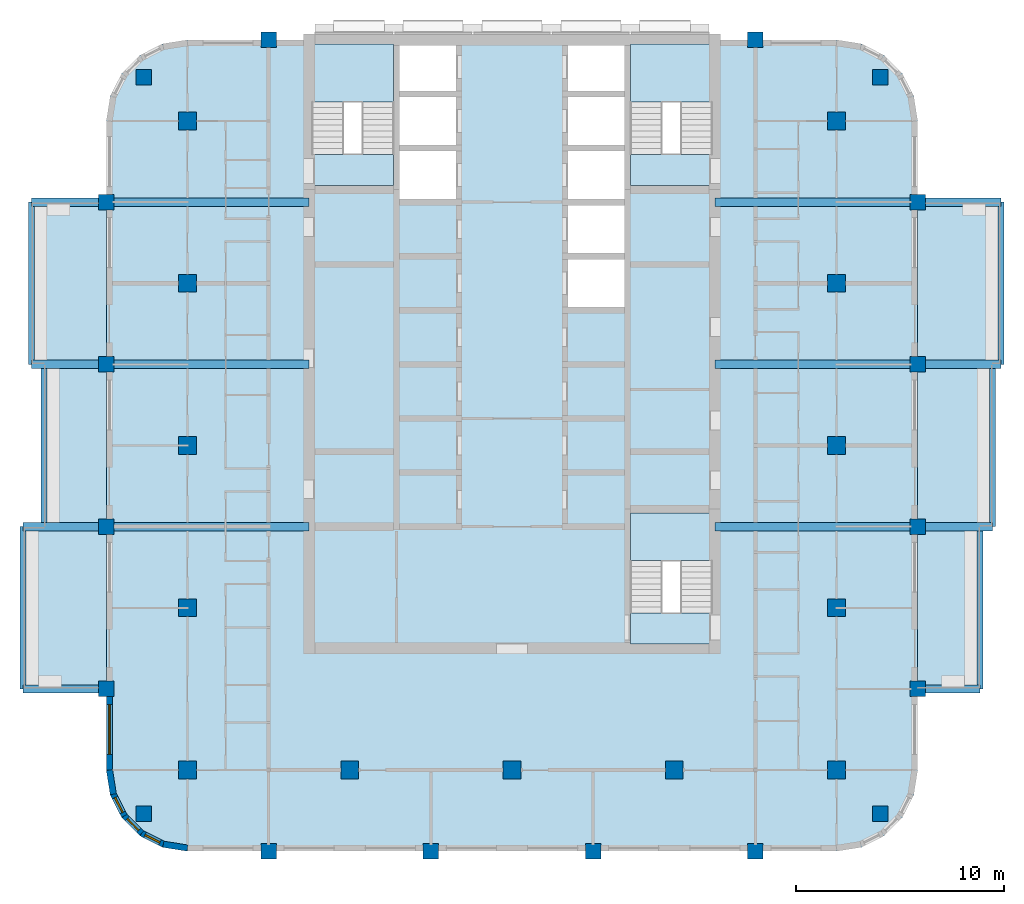
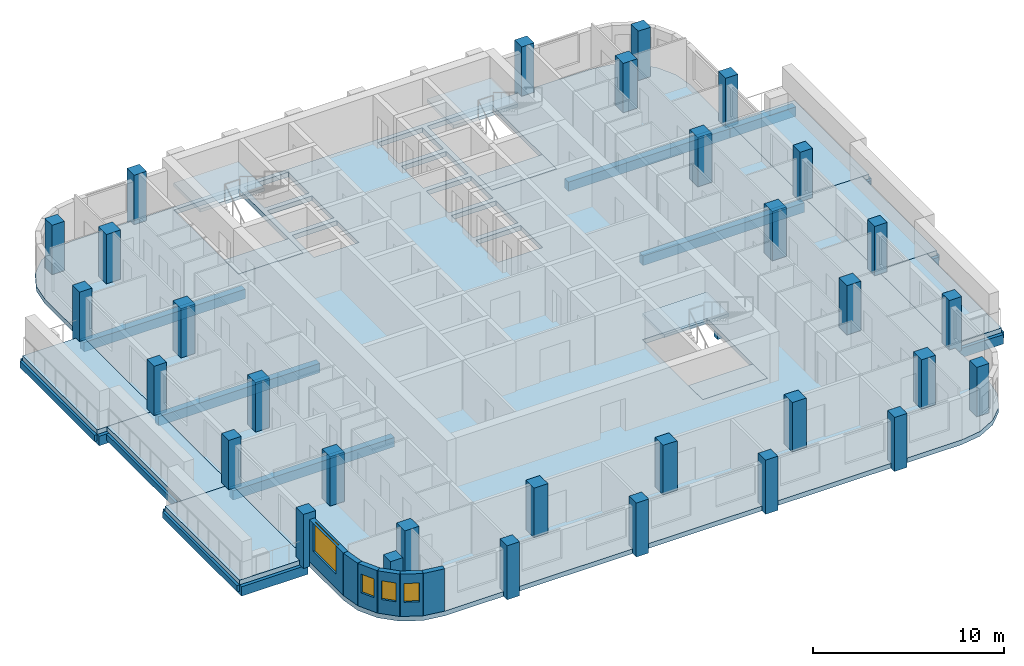
# One storey, part 1 of 13: 31 columns, 20 beams, 13 slabs, 6 walls, 4 windows, 4 openings, 3 elements without a shape of their own.
"""IFC4 building model written with IfcOpenShell, lengths in metres."""

import ifcopenshell
import ifcopenshell.guid

model = None  # the IFC model being written
_history = None  # IfcOwnerHistory: only IFC2X3 demands one
_inside = {}  # id of a spatial element -> (the spatial element, [elements in it])
_under = {}  # id of a project, library or spatial element -> (it, [spatial elements below it])
_declared = {}  # id of a project -> (the project, [libraries it declares])
_typed = {}  # id of a type object -> (the type object, [elements of that type])
_made_of = {}  # id of a material, layer set ... -> (it, [elements and type objects made of it])


def new_model(schema):
    """Start an empty IFC model of exactly this schema.

    Asked for "IFC4X3", IfcOpenShell would pick the latest addendum, in which some entities
    have other attributes; the version numbers below select the first issue.
    IFC2X3 requires an IfcOwnerHistory on every rooted entity: one is made here for all.
    """
    global model, _history
    if schema == "IFC4X3":
        model = ifcopenshell.file(schema_version=(4, 3, 0, 0))
    else:
        model = ifcopenshell.file(schema=schema)
    _inside.clear()
    _under.clear()
    _declared.clear()
    _typed.clear()
    _made_of.clear()
    _history = None
    if model.schema == "IFC2X3":
        org = make("IfcOrganization", Name="unknown")
        user = make(
            "IfcPersonAndOrganization",
            ThePerson=make("IfcPerson", FamilyName="unknown"),
            TheOrganization=org,
        )
        app = make(
            "IfcApplication",
            ApplicationDeveloper=org,
            Version="unknown",
            ApplicationFullName="unknown",
            ApplicationIdentifier="unknown",
        )
        _history = make(
            "IfcOwnerHistory",
            OwningUser=user,
            OwningApplication=app,
            ChangeAction="ADDED",
            CreationDate=0,
        )
    return model


def make(cls, **values):
    """One entity of the class cls with the attributes given. An attribute that is None is left unset."""
    return model.create_entity(
        cls, **{name: value for name, value in values.items() if value is not None}
    )


def rooted(cls, **values):
    """An entity with a GlobalId (a new one), such as an element, a storey or a relation."""
    return make(cls, GlobalId=ifcopenshell.guid.new(), OwnerHistory=_history, **values)


def si_unit(unit_type, name, prefix=None):
    """IfcSIUnit, for example si_unit("LENGTHUNIT", "METRE", prefix="MILLI")."""
    return make("IfcSIUnit", UnitType=unit_type, Prefix=prefix, Name=name)


def assignment(units):
    """IfcUnitAssignment: the units of a project."""
    return None if units is None else make("IfcUnitAssignment", Units=units)


def point(xyz):
    """IfcCartesianPoint."""
    return None if xyz is None else make("IfcCartesianPoint", Coordinates=xyz)


def direction(xyz):
    """IfcDirection."""
    return None if xyz is None else make("IfcDirection", DirectionRatios=xyz)


def frame(location, z_axis=None, x_axis=None):
    """IfcAxis2Placement3D, a coordinate frame: its origin and axes. An axis left out is left unset."""
    return make(
        "IfcAxis2Placement3D",
        Location=point(location),
        Axis=direction(z_axis),
        RefDirection=direction(x_axis),
    )


def frame_2d(location, x_axis=None):
    """IfcAxis2Placement2D, a coordinate frame in the plane: its origin and x axis."""
    return make(
        "IfcAxis2Placement2D", Location=point(location), RefDirection=direction(x_axis)
    )


def origin():
    """The frame at (0, 0, 0) with its axes left unset."""
    return frame((0.0, 0.0, 0.0))


def origin_2d():
    """The frame at (0, 0) in the plane with its x axis left unset."""
    return frame_2d((0.0, 0.0))


def place(relative_to, where):
    """IfcLocalPlacement: puts the frame where relative to a parent placement (None: the world)."""
    return make(
        "IfcLocalPlacement", PlacementRelTo=relative_to, RelativePlacement=where
    )


def context(
    kind, dimensions, precision=None, world=None, true_north=None, identifier=None
):
    """IfcGeometricRepresentationContext, for example the 3D "Model" context."""
    return make(
        "IfcGeometricRepresentationContext",
        ContextIdentifier=identifier,
        ContextType=kind,
        CoordinateSpaceDimension=dimensions,
        Precision=precision,
        WorldCoordinateSystem=world,
        TrueNorth=true_north,
    )


def subcontext(parent, identifier, kind, view, scale=None):
    """IfcGeometricRepresentationSubContext, for example "Body" below "Model"."""
    return make(
        "IfcGeometricRepresentationSubContext",
        ContextIdentifier=identifier,
        ContextType=kind,
        ParentContext=parent,
        TargetScale=scale,
        TargetView=view,
    )


def project(units=None, contexts=None):
    """IfcProject with its units and contexts."""
    return rooted(
        "IfcProject",
        Name="project",
        RepresentationContexts=contexts,
        UnitsInContext=assignment(units),
    )


def spatial(cls, under=None, at=None, **own):
    """A site, building, storey or space (cls), placed at a placement, below another one or the project."""
    s = rooted(cls, ObjectPlacement=at, **own)
    if under is not None:
        _under.setdefault(under.id(), (under, []))[1].append(s)
    return s


def polyline(points):
    """IfcPolyline through the points."""
    return make("IfcPolyline", Points=[point(p) for p in points])


def profile(cls, at=None, kind="AREA", **sizes):
    """A parametric profile (cls). Its sizes go by their IFC names, for example OverallWidth=200.0."""
    return make(cls, ProfileType=kind, Position=at, **sizes)


def rectangle(**sizes):
    """IfcRectangleProfileDef."""
    return profile("IfcRectangleProfileDef", **sizes)


def outline(outer, holes=None, kind="AREA"):
    """IfcArbitraryClosedProfileDef: a profile drawn as a closed curve; with holes, ...WithVoids."""
    if holes is None:
        return make("IfcArbitraryClosedProfileDef", ProfileType=kind, OuterCurve=outer)
    return make(
        "IfcArbitraryProfileDefWithVoids",
        ProfileType=kind,
        OuterCurve=outer,
        InnerCurves=holes,
    )


def extrude(swept, where, along, depth):
    """IfcExtrudedAreaSolid: the profile swept, set in the frame where, extruded along a direction by depth."""
    return make(
        "IfcExtrudedAreaSolid",
        SweptArea=swept,
        Position=where,
        ExtrudedDirection=direction(along),
        Depth=depth,
    )


def shape(context_of_items, identifier, shape_type, items):
    """IfcShapeRepresentation: the items that make up one representation, for example the "Body"."""
    return make(
        "IfcShapeRepresentation",
        ContextOfItems=context_of_items,
        RepresentationIdentifier=identifier,
        RepresentationType=shape_type,
        Items=items,
    )


def material(Name=None, Category=None):
    """IfcMaterial."""
    return make("IfcMaterial", Name=Name, Category=Category)


def layer(
    of_material, thickness, ventilated=None, Name=None, Category=None, Priority=None
):
    """IfcMaterialLayer: one layer of a wall or slab, of a material (None: an air gap)."""
    return make(
        "IfcMaterialLayer",
        Material=of_material,
        LayerThickness=thickness,
        IsVentilated=ventilated,
        Name=Name,
        Category=Category,
        Priority=Priority,
    )


def layer_set(layers, Name=None):
    """IfcMaterialLayerSet."""
    return make("IfcMaterialLayerSet", MaterialLayers=layers, LayerSetName=Name)


def material_profile(
    of_material, cross_section, Name=None, Category=None, Priority=None
):
    """IfcMaterialProfile: a cross section and its material."""
    return make(
        "IfcMaterialProfile",
        Name=Name,
        Material=of_material,
        Profile=cross_section,
        Priority=Priority,
        Category=Category,
    )


def profile_set(profiles, Name=None, composite=None):
    """IfcMaterialProfileSet."""
    return make(
        "IfcMaterialProfileSet",
        Name=Name,
        MaterialProfiles=profiles,
        CompositeProfile=composite,
    )


def made_of(thing, what):
    """Note that an element or type object is made of a material, layer set ...; save() writes the relation."""
    if what is not None:
        _made_of.setdefault(what.id(), (what, []))[1].append(thing)
    return thing


def type_object(cls, material=None, **own):
    """A type object (cls), such as IfcWallType, which elements share."""
    return made_of(rooted(cls, **own), material)


def element(
    cls,
    number,
    at=None,
    inside=None,
    cuts=None,
    type_object=None,
    material=None,
    context=None,
    identifier="Body",
    shape_type=None,
    held_by="IfcProductDefinitionShape",
    body=None,
    shapes=None,
    **own,
):
    """One element of the class cls, such as IfcWall. Its Tag is "e" and its number.

    at: its placement. inside: the storey or other place that contains it. cuts: it is an
    opening in that element (IfcRelVoidsElement). A single representation is given by context,
    identifier, shape_type and body (its items); several are given by shapes. held_by: the class
    of the entity that holds the representations. save() writes the other relations.
    """
    e = rooted(cls, Tag="e%d" % number, ObjectPlacement=at, **own)
    if body is not None:
        shapes = [shape(context, identifier, shape_type, body)]
    if shapes is not None:
        e.Representation = make(held_by, Representations=shapes)
    if inside is not None:
        _inside.setdefault(inside.id(), (inside, []))[1].append(e)
    if cuts is not None:
        rooted(
            "IfcRelVoidsElement", RelatingBuildingElement=cuts, RelatedOpeningElement=e
        )
    if type_object is not None:
        _typed.setdefault(type_object.id(), (type_object, []))[1].append(e)
    return made_of(e, material)


def fill(opening, filler):
    """IfcRelFillsElement: the door or window that sits in an opening."""
    return rooted(
        "IfcRelFillsElement",
        RelatingOpeningElement=opening,
        RelatedBuildingElement=filler,
    )


def aggregate(whole, parts):
    """IfcRelAggregates: a whole, such as a stair, and the parts it consists of."""
    return rooted("IfcRelAggregates", RelatingObject=whole, RelatedObjects=parts)


def save(model, path):
    """Write the relations noted so far, then the file.

    IfcRelAggregates (storeys below a building ...), IfcRelContainedInSpatialStructure (elements
    in a storey), IfcRelDefinesByType, IfcRelAssociatesMaterial and IfcRelDeclares: one each for
    every whole, place, type object, material and project.
    """
    for whole, parts in _under.values():
        aggregate(whole, parts)
    for where, things in _inside.values():
        rooted(
            "IfcRelContainedInSpatialStructure",
            RelatedElements=things,
            RelatingStructure=where,
        )
    for kind, things in _typed.values():
        rooted("IfcRelDefinesByType", RelatedObjects=things, RelatingType=kind)
    for what, things in _made_of.values():
        rooted("IfcRelAssociatesMaterial", RelatedObjects=things, RelatingMaterial=what)
    for by, libraries in _declared.values():
        rooted("IfcRelDeclares", RelatingContext=by, RelatedDefinitions=libraries)
    model.write(path)


model = new_model("IFC4")

# Units and contexts
model_context = context("Model", 3, precision=1e-05, world=origin(), true_north=direction((0.0, 1.0)))
body_context = subcontext(model_context, "Body", "Model", "MODEL_VIEW")
ifc_project = project(units=[si_unit("LENGTHUNIT", "METRE"), si_unit("AREAUNIT", "SQUARE_METRE"), si_unit("VOLUMEUNIT", "CUBIC_METRE"), si_unit("PLANEANGLEUNIT", "RADIAN"), si_unit("MASSUNIT", "GRAM", prefix="KILO")], contexts=[model_context])

# Site, building, storey
site_placement = place(None, origin())
site = spatial("IfcSite", under=ifc_project, at=site_placement, CompositionType="ELEMENT")
building_placement = place(site_placement, origin())
building = spatial("IfcBuilding", under=site, at=building_placement, Name="Ludao Terraces", CompositionType="ELEMENT")
storey_placement = place(building_placement, frame((0.0, 0.0, 148.60009765625)))
storey = spatial("IfcBuildingStorey", under=building, at=storey_placement, Name="L40", CompositionType="ELEMENT", Elevation=148.60009765625)

# Columns
ifc_material_1 = material(Name="Concrete C45", Category="concrete")
ifc_material_profile_1 = material_profile(ifc_material_1, rectangle(XDim=0.75, YDim=0.75, at=origin_2d()), Name="750 X 750")
ifc_profile_set_1 = profile_set([ifc_material_profile_1], Name="Concrete C45")
column_type_1 = type_object("IfcColumnType", Name="RC column 750x750 C45", PredefinedType="COLUMN", material=ifc_profile_set_1)
for number, where, z_axis, x_axis, name in (
    (1, (67.300048828125, 47.300048828125, -0.300048828125), (0.0, 0.0, 1.0), (1.0, 0.0, 0.0), "Column L40 C0057x0057"),
    (2, (102.699951171875, 47.300048828125, -0.300048828125), (0.0, 0.0, 1.0), (1.0, 0.0, 0.0), "Column L40 C0411x0057"),
    (3, (67.300048828125, 82.699951171875, -0.300048828125), (0.0, 0.0, 1.0), (1.0, 0.0, 0.0), "Column L40 C0057x0411"),
    (4, (102.699951171875, 82.699951171875, -0.300048828125), (0.0, 0.0, 1.0), (1.0, 0.0, 0.0), "Column L40 C0411x0411"),
    (5, (65.5, 53.300048828125, -0.300048828125), (0.0, 0.0, 1.0), (1.0, 0.0, 0.0), "Column L40 W0039x0117"),
    (6, (104.5, 53.300048828125, -0.300048828125), (0.0, 0.0, 1.0), (1.0, 0.0, 0.0), "Column L40 W0429x0117"),
    (7, (73.300048828125, 45.5, -0.300048828125), (0.0, 0.0, 1.0), (1.0, 0.0, 0.0), "Column L40 W0117x0039"),
    (8, (73.300048828125, 84.5, -0.300048828125), (0.0, 0.0, 1.0), (1.0, 0.0, 0.0), "Column L40 W0117x0429"),
    (9, (65.5, 61.10009765625, -0.300048828125), (0.0, 0.0, 1.0), (1.0, 0.0, 0.0), "Column L40 W0039x0195"),
    (10, (104.5, 61.10009765625, -0.300048828125), (0.0, 0.0, 1.0), (1.0, 0.0, 0.0), "Column L40 W0429x0195"),
    (11, (81.10009765625, 45.5, -0.300048828125), (0.0, 0.0, 1.0), (1.0, 0.0, 0.0), "Column L40 W0195x0039"),
    (12, (65.5, 68.89990234375, -0.300048828125), (0.0, 0.0, 1.0), (1.0, 0.0, 0.0), "Column L40 W0039x0273"),
    (13, (104.5, 68.89990234375, -0.300048828125), (0.0, 0.0, 1.0), (1.0, 0.0, 0.0), "Column L40 W0429x0273"),
    (14, (88.89990234375, 45.5, -0.300048828125), (0.0, 0.0, 1.0), (1.0, 0.0, 0.0), "Column L40 W0273x0039"),
    (15, (65.5, 76.699951171875, -0.300048828125), (0.0, 0.0, 1.0), (1.0, 0.0, 0.0), "Column L40 W0039x0351"),
    (16, (104.5, 76.699951171875, -0.300048828125), (0.0, 0.0, 1.0), (1.0, 0.0, 0.0), "Column L40 W0429x0351"),
    (17, (96.699951171875, 45.5, -0.300048828125), (0.0, 0.0, 1.0), (1.0, 0.0, 0.0), "Column L40 W0351x0039"),
    (18, (96.699951171875, 84.5, -0.300048828125), (0.0, 0.0, 1.0), (1.0, 0.0, 0.0), "Column L40 W0351x0429"),
):
    element("IfcColumn", number, at=place(storey_placement, frame(where, z_axis=z_axis, x_axis=x_axis)), inside=storey, type_object=column_type_1, Name=name, PredefinedType="COLUMN", context=body_context, shape_type="SweptSolid", body=[
        extrude(rectangle(XDim=0.75, YDim=0.75, at=origin_2d()), origin(), (0.0, 0.0, 1.0), 3.449951171875),
    ])
ifc_material_profile_2 = material_profile(ifc_material_1, rectangle(XDim=0.85009765625, YDim=0.85009765625, at=origin_2d()), Name="850 X 850")
ifc_profile_set_2 = profile_set([ifc_material_profile_2], Name="Concrete C45")
column_type_2 = type_object("IfcColumnType", Name="RC column 850x850 C45", PredefinedType="COLUMN", material=ifc_profile_set_2)
for number, where, z_axis, x_axis, name in (
    (19, (69.39990234375, 49.39990234375, -0.300048828125), (0.0, 0.0, 1.0), (1.0, 0.0, 0.0), "Column L40 S0078x0078"),
    (20, (69.39990234375, 57.199951171875, -0.300048828125), (0.0, 0.0, 1.0), (1.0, 0.0, 0.0), "Column L40 S0078x0156"),
    (21, (69.39990234375, 65.0, -0.300048828125), (0.0, 0.0, 1.0), (1.0, 0.0, 0.0), "Column L40 S0078x0234"),
    (22, (69.39990234375, 72.800048828125, -0.300048828125), (0.0, 0.0, 1.0), (1.0, 0.0, 0.0), "Column L40 S0078x0312"),
    (23, (69.39990234375, 80.60009765625, -0.300048828125), (0.0, 0.0, 1.0), (1.0, 0.0, 0.0), "Column L40 S0078x0390"),
    (24, (77.199951171875, 49.39990234375, -0.300048828125), (0.0, 0.0, 1.0), (1.0, 0.0, 0.0), "Column L40 S0156x0078"),
    (25, (85.0, 49.39990234375, -0.300048828125), (0.0, 0.0, 1.0), (1.0, 0.0, 0.0), "Column L40 S0234x0078"),
    (26, (92.800048828125, 49.39990234375, -0.300048828125), (0.0, 0.0, 1.0), (1.0, 0.0, 0.0), "Column L40 S0312x0078"),
    (27, (100.60009765625, 49.39990234375, -0.300048828125), (0.0, 0.0, 1.0), (1.0, 0.0, 0.0), "Column L40 S0390x0078"),
    (28, (100.60009765625, 57.199951171875, -0.300048828125), (0.0, 0.0, 1.0), (1.0, 0.0, 0.0), "Column L40 S0390x0156"),
    (29, (100.60009765625, 65.0, -0.300048828125), (0.0, 0.0, 1.0), (1.0, 0.0, 0.0), "Column L40 S0390x0234"),
    (30, (100.60009765625, 72.800048828125, -0.300048828125), (0.0, 0.0, 1.0), (1.0, 0.0, 0.0), "Column L40 S0390x0312"),
    (31, (100.60009765625, 80.60009765625, -0.300048828125), (0.0, 0.0, 1.0), (1.0, 0.0, 0.0), "Column L40 S0390x0390"),
):
    element("IfcColumn", number, at=place(storey_placement, frame(where, z_axis=z_axis, x_axis=x_axis)), inside=storey, type_object=column_type_2, Name=name, PredefinedType="COLUMN", context=body_context, shape_type="SweptSolid", body=[
        extrude(rectangle(XDim=0.85009765625, YDim=0.85009765625, at=origin_2d()), origin(), (0.0, 0.0, 1.0), 3.449951171875),
    ])

# Beams
ifc_material_2 = material(Name="Concrete C40", Category="concrete")
ifc_material_profile_3 = material_profile(ifc_material_2, rectangle(XDim=0.300048828125, YDim=0.39990234375, at=origin_2d()), Name="300 X 400")
ifc_profile_set_3 = profile_set([ifc_material_profile_3], Name="Concrete C40")
beam_type_1 = type_object("IfcBeamType", Name="RC beam 300x400 C40", PredefinedType="BEAM", material=ifc_profile_set_3)
beam_1_placement = place(storey_placement, frame((107.5, 53.300048828125, -0.5), z_axis=(0.0, 1.0, 0.0), x_axis=(-1.0, 0.0, 0.0)))
element("IfcBeam", 32, at=beam_1_placement, inside=storey, type_object=beam_type_1, Name="Balcony edge beam L40 E1", PredefinedType="BEAM", context=body_context, shape_type="SweptSolid", body=[
    extrude(rectangle(XDim=0.300048828125, YDim=0.39990234375, at=origin_2d()), origin(), (0.0, 0.0, 1.0), 7.800048828125),
])
beam_2_placement = place(storey_placement, frame((108.10009765625, 61.10009765625, -0.5), z_axis=(0.0, 1.0, 0.0), x_axis=(-1.0, 0.0, 0.0)))
element("IfcBeam", 33, at=beam_2_placement, inside=storey, type_object=beam_type_1, Name="Balcony edge beam L40 E2", PredefinedType="BEAM", context=body_context, shape_type="SweptSolid", body=[
    extrude(rectangle(XDim=0.300048828125, YDim=0.39990234375, at=origin_2d()), origin(), (0.0, 0.0, 1.0), 7.7998046875),
])
for number, where, z_axis, x_axis, name in (
    (34, (108.5, 68.89990234375, -0.5), (0.0, 1.0, 0.0), (-1.0, 0.0, 0.0), "Balcony edge beam L40 E3"),
    (35, (61.5, 53.300048828125, -0.5), (0.0, 1.0, 0.0), (-1.0, 0.0, 0.0), "Balcony edge beam L40 W1"),
):
    element("IfcBeam", number, at=place(storey_placement, frame(where, z_axis=z_axis, x_axis=x_axis)), inside=storey, type_object=beam_type_1, Name=name, PredefinedType="BEAM", context=body_context, shape_type="SweptSolid", body=[
        extrude(rectangle(XDim=0.300048828125, YDim=0.39990234375, at=origin_2d()), origin(), (0.0, 0.0, 1.0), 7.800048828125),
    ])
beam_3_placement = place(storey_placement, frame((62.5, 61.10009765625, -0.5), z_axis=(0.0, 1.0, 0.0), x_axis=(-1.0, 0.0, 0.0)))
element("IfcBeam", 36, at=beam_3_placement, inside=storey, type_object=beam_type_1, Name="Balcony edge beam L40 W2", PredefinedType="BEAM", context=body_context, shape_type="SweptSolid", body=[
    extrude(rectangle(XDim=0.300048828125, YDim=0.39990234375, at=origin_2d()), origin(), (0.0, 0.0, 1.0), 7.7998046875),
])
beam_4_placement = place(storey_placement, frame((61.89990234375, 68.89990234375, -0.5), z_axis=(0.0, 1.0, 0.0), x_axis=(-1.0, 0.0, 0.0)))
element("IfcBeam", 37, at=beam_4_placement, inside=storey, type_object=beam_type_1, Name="Balcony edge beam L40 W3", PredefinedType="BEAM", context=body_context, shape_type="SweptSolid", body=[
    extrude(rectangle(XDim=0.300048828125, YDim=0.39990234375, at=origin_2d()), origin(), (0.0, 0.0, 1.0), 7.800048828125),
])
ifc_material_profile_4 = material_profile(ifc_material_2, rectangle(XDim=0.39990234375, YDim=0.60009765625, at=origin_2d()), Name="400 X 600")
ifc_profile_set_4 = profile_set([ifc_material_profile_4], Name="Concrete C40")
beam_type_2 = type_object("IfcBeamType", Name="RC beam 400x600 C40", PredefinedType="BEAM", material=ifc_profile_set_4)
beam_5_placement = place(storey_placement, frame((104.5, 53.300048828125, -0.60009765625), z_axis=(1.0, 0.0, 0.0), x_axis=(0.0, 1.0, 0.0)))
element("IfcBeam", 38, at=beam_5_placement, inside=storey, type_object=beam_type_2, Name="Balcony beam L40 E533", PredefinedType="BEAM", context=body_context, shape_type="SweptSolid", body=[
    extrude(rectangle(XDim=0.39990234375, YDim=0.60009765625, at=origin_2d()), origin(), (0.0, 0.0, 1.0), 3.0),
])
beam_6_placement = place(storey_placement, frame((94.75, 61.10009765625, -0.60009765625), z_axis=(1.0, 0.0, 0.0), x_axis=(0.0, 1.0, 0.0)))
element("IfcBeam", 39, at=beam_6_placement, inside=storey, type_object=beam_type_2, Name="Balcony beam L40 E611", PredefinedType="BEAM", context=body_context, shape_type="SweptSolid", body=[
    extrude(rectangle(XDim=0.39990234375, YDim=0.60009765625, at=origin_2d()), origin(), (0.0, 0.0, 1.0), 9.75),
])
beam_7_placement = place(storey_placement, frame((104.5, 61.10009765625, -0.60009765625), z_axis=(1.0, 0.0, 0.0), x_axis=(0.0, 1.0, 0.0)))
element("IfcBeam", 40, at=beam_7_placement, inside=storey, type_object=beam_type_2, Name="Balcony beam L40 E611", PredefinedType="BEAM", context=body_context, shape_type="SweptSolid", body=[
    extrude(rectangle(XDim=0.39990234375, YDim=0.60009765625, at=origin_2d()), origin(), (0.0, 0.0, 1.0), 3.60009765625),
])
beam_8_placement = place(storey_placement, frame((94.75, 68.89990234375, -0.60009765625), z_axis=(1.0, 0.0, 0.0), x_axis=(0.0, 1.0, 0.0)))
element("IfcBeam", 41, at=beam_8_placement, inside=storey, type_object=beam_type_2, Name="Balcony beam L40 E689", PredefinedType="BEAM", context=body_context, shape_type="SweptSolid", body=[
    extrude(rectangle(XDim=0.39990234375, YDim=0.60009765625, at=origin_2d()), origin(), (0.0, 0.0, 1.0), 9.75),
])
beam_9_placement = place(storey_placement, frame((104.5, 68.89990234375, -0.60009765625), z_axis=(1.0, 0.0, 0.0), x_axis=(0.0, 1.0, 0.0)))
element("IfcBeam", 42, at=beam_9_placement, inside=storey, type_object=beam_type_2, Name="Balcony beam L40 E689", PredefinedType="BEAM", context=body_context, shape_type="SweptSolid", body=[
    extrude(rectangle(XDim=0.39990234375, YDim=0.60009765625, at=origin_2d()), origin(), (0.0, 0.0, 1.0), 4.0),
])
beam_10_placement = place(storey_placement, frame((94.75, 76.699951171875, -0.60009765625), z_axis=(1.0, 0.0, 0.0), x_axis=(0.0, 1.0, 0.0)))
element("IfcBeam", 43, at=beam_10_placement, inside=storey, type_object=beam_type_2, Name="Balcony beam L40 E767", PredefinedType="BEAM", context=body_context, shape_type="SweptSolid", body=[
    extrude(rectangle(XDim=0.39990234375, YDim=0.60009765625, at=origin_2d()), origin(), (0.0, 0.0, 1.0), 9.75),
])
for number, where, z_axis, x_axis, name in (
    (44, (104.5, 76.699951171875, -0.60009765625), (1.0, 0.0, 0.0), (0.0, 1.0, 0.0), "Balcony beam L40 E767"),
    (45, (65.5, 53.300048828125, -0.60009765625), (-1.0, 0.0, 0.0), (0.0, -1.0, 0.0), "Balcony beam L40 W533"),
):
    element("IfcBeam", number, at=place(storey_placement, frame(where, z_axis=z_axis, x_axis=x_axis)), inside=storey, type_object=beam_type_2, Name=name, PredefinedType="BEAM", context=body_context, shape_type="SweptSolid", body=[
        extrude(rectangle(XDim=0.39990234375, YDim=0.60009765625, at=origin_2d()), origin(), (0.0, 0.0, 1.0), 4.0),
    ])
beam_11_placement = place(storey_placement, frame((75.25, 61.10009765625, -0.60009765625), z_axis=(-1.0, 0.0, 0.0), x_axis=(0.0, -1.0, 0.0)))
element("IfcBeam", 46, at=beam_11_placement, inside=storey, type_object=beam_type_2, Name="Balcony beam L40 W611", PredefinedType="BEAM", context=body_context, shape_type="SweptSolid", body=[
    extrude(rectangle(XDim=0.39990234375, YDim=0.60009765625, at=origin_2d()), origin(), (0.0, 0.0, 1.0), 9.75),
])
beam_12_placement = place(storey_placement, frame((65.5, 61.10009765625, -0.60009765625), z_axis=(-1.0, 0.0, 0.0), x_axis=(0.0, -1.0, 0.0)))
element("IfcBeam", 47, at=beam_12_placement, inside=storey, type_object=beam_type_2, Name="Balcony beam L40 W611", PredefinedType="BEAM", context=body_context, shape_type="SweptSolid", body=[
    extrude(rectangle(XDim=0.39990234375, YDim=0.60009765625, at=origin_2d()), origin(), (0.0, 0.0, 1.0), 4.0),
])
beam_13_placement = place(storey_placement, frame((75.25, 68.89990234375, -0.60009765625), z_axis=(-1.0, 0.0, 0.0), x_axis=(0.0, -1.0, 0.0)))
element("IfcBeam", 48, at=beam_13_placement, inside=storey, type_object=beam_type_2, Name="Balcony beam L40 W689", PredefinedType="BEAM", context=body_context, shape_type="SweptSolid", body=[
    extrude(rectangle(XDim=0.39990234375, YDim=0.60009765625, at=origin_2d()), origin(), (0.0, 0.0, 1.0), 9.75),
])
beam_14_placement = place(storey_placement, frame((65.5, 68.89990234375, -0.60009765625), z_axis=(-1.0, 0.0, 0.0), x_axis=(0.0, -1.0, 0.0)))
element("IfcBeam", 49, at=beam_14_placement, inside=storey, type_object=beam_type_2, Name="Balcony beam L40 W689", PredefinedType="BEAM", context=body_context, shape_type="SweptSolid", body=[
    extrude(rectangle(XDim=0.39990234375, YDim=0.60009765625, at=origin_2d()), origin(), (0.0, 0.0, 1.0), 3.60009765625),
])
beam_15_placement = place(storey_placement, frame((75.25, 76.699951171875, -0.60009765625), z_axis=(-1.0, 0.0, 0.0), x_axis=(0.0, -1.0, 0.0)))
element("IfcBeam", 50, at=beam_15_placement, inside=storey, type_object=beam_type_2, Name="Balcony beam L40 W767", PredefinedType="BEAM", context=body_context, shape_type="SweptSolid", body=[
    extrude(rectangle(XDim=0.39990234375, YDim=0.60009765625, at=origin_2d()), origin(), (0.0, 0.0, 1.0), 9.75),
])
beam_16_placement = place(storey_placement, frame((65.5, 76.699951171875, -0.60009765625), z_axis=(-1.0, 0.0, 0.0), x_axis=(0.0, -1.0, 0.0)))
element("IfcBeam", 51, at=beam_16_placement, inside=storey, type_object=beam_type_2, Name="Balcony beam L40 W767", PredefinedType="BEAM", context=body_context, shape_type="SweptSolid", body=[
    extrude(rectangle(XDim=0.39990234375, YDim=0.60009765625, at=origin_2d()), origin(), (0.0, 0.0, 1.0), 3.60009765625),
])

# Slabs
ifc_layer_1 = layer(ifc_material_2, 0.300048828125)
ifc_layer_set_1 = layer_set([ifc_layer_1], Name="Balcony slab 300 C40")
slab_type_1 = type_object("IfcSlabType", Name="Balcony slab 300 C40", PredefinedType="USERDEFINED", material=ifc_layer_set_1)
slab_1_placement = place(storey_placement, frame((0.0, 0.0, -0.300048828125)))
element("IfcSlab", 52, at=slab_1_placement, inside=storey, type_object=slab_type_1, Name="Balcony L40 E1", ObjectType="BALCONY", PredefinedType="USERDEFINED", context=body_context, shape_type="SweptSolid", body=[
    extrude(outline(polyline([(104.5, 53.300048828125), (107.5, 53.300048828125), (107.5, 61.10009765625), (104.5, 61.10009765625), (104.5, 53.300048828125)])), origin(), (0.0, 0.0, 1.0), 0.300048828125),
])
slab_2_placement = place(storey_placement, frame((0.0, 0.0, -0.300048828125)))
element("IfcSlab", 53, at=slab_2_placement, inside=storey, type_object=slab_type_1, Name="Balcony L40 E2", ObjectType="BALCONY", PredefinedType="USERDEFINED", context=body_context, shape_type="SweptSolid", body=[
    extrude(outline(polyline([(104.5, 61.10009765625), (108.10009765625, 61.10009765625), (108.10009765625, 68.89990234375), (104.5, 68.89990234375), (104.5, 61.10009765625)])), origin(), (0.0, 0.0, 1.0), 0.300048828125),
])
slab_3_placement = place(storey_placement, frame((0.0, 0.0, -0.300048828125)))
element("IfcSlab", 54, at=slab_3_placement, inside=storey, type_object=slab_type_1, Name="Balcony L40 E3", ObjectType="BALCONY", PredefinedType="USERDEFINED", context=body_context, shape_type="SweptSolid", body=[
    extrude(outline(polyline([(104.5, 68.89990234375), (108.5, 68.89990234375), (108.5, 76.699951171875), (104.5, 76.699951171875), (104.5, 68.89990234375)])), origin(), (0.0, 0.0, 1.0), 0.300048828125),
])
slab_4_placement = place(storey_placement, frame((0.0, 0.0, -0.300048828125)))
element("IfcSlab", 55, at=slab_4_placement, inside=storey, type_object=slab_type_1, Name="Balcony L40 W1", ObjectType="BALCONY", PredefinedType="USERDEFINED", context=body_context, shape_type="SweptSolid", body=[
    extrude(outline(polyline([(61.5, 53.300048828125), (65.5, 53.300048828125), (65.5, 61.10009765625), (61.5, 61.10009765625), (61.5, 53.300048828125)])), origin(), (0.0, 0.0, 1.0), 0.300048828125),
])
slab_5_placement = place(storey_placement, frame((0.0, 0.0, -0.300048828125)))
element("IfcSlab", 56, at=slab_5_placement, inside=storey, type_object=slab_type_1, Name="Balcony L40 W2", ObjectType="BALCONY", PredefinedType="USERDEFINED", context=body_context, shape_type="SweptSolid", body=[
    extrude(outline(polyline([(62.5, 61.10009765625), (65.5, 61.10009765625), (65.5, 68.89990234375), (62.5, 68.89990234375), (62.5, 61.10009765625)])), origin(), (0.0, 0.0, 1.0), 0.300048828125),
])
slab_6_placement = place(storey_placement, frame((0.0, 0.0, -0.300048828125)))
element("IfcSlab", 57, at=slab_6_placement, inside=storey, type_object=slab_type_1, Name="Balcony L40 W3", ObjectType="BALCONY", PredefinedType="USERDEFINED", context=body_context, shape_type="SweptSolid", body=[
    extrude(outline(polyline([(61.89990234375, 68.89990234375), (65.5, 68.89990234375), (65.5, 76.699951171875), (61.89990234375, 76.699951171875), (61.89990234375, 68.89990234375)])), origin(), (0.0, 0.0, 1.0), 0.300048828125),
])
ifc_layer_2 = layer(ifc_material_2, 0.300048828125)
ifc_layer_set_2 = layer_set([ifc_layer_2], Name="Floor slab 300 C40")
slab_type_2 = type_object("IfcSlabType", Name="Floor slab 300 C40", PredefinedType="FLOOR", material=ifc_layer_set_2)
slab_7_placement = place(storey_placement, frame((0.0, 0.0, -0.300048828125)))
element("IfcSlab", 58, at=slab_7_placement, inside=storey, type_object=slab_type_2, Name="Slab L40", PredefinedType="FLOOR", context=body_context, shape_type="SweptSolid", body=[
    extrude(outline(polyline([(100.60009765625, 45.5), (101.80517578125, 45.69091796875), (102.892333984375, 46.244873046875), (103.755126953125, 47.107666015625), (104.30908203125, 48.19482421875), (104.5, 49.39990234375), (104.5, 80.60009765625), (104.30908203125, 81.80517578125), (103.755126953125, 82.892333984375), (102.892333984375, 83.755126953125), (101.80517578125, 84.30908203125), (100.60009765625, 84.5), (69.39990234375, 84.5), (68.19482421875, 84.30908203125), (67.107666015625, 83.755126953125), (66.244873046875, 82.892333984375), (65.69091796875, 81.80517578125), (65.5, 80.60009765625), (65.5, 49.39990234375), (65.69091796875, 48.19482421875), (66.244873046875, 47.107666015625), (67.107666015625, 46.244873046875), (68.19482421875, 45.69091796875), (69.39990234375, 45.5), (100.60009765625, 45.5)]), holes=[polyline([(79.60009765625, 76.85009765625), (82.300048828125, 76.85009765625), (82.300048828125, 79.14990234375), (79.60009765625, 79.14990234375), (79.60009765625, 76.85009765625)]), polyline([(79.60009765625, 79.449951171875), (82.300048828125, 79.449951171875), (82.300048828125, 81.75), (79.60009765625, 81.75), (79.60009765625, 79.449951171875)]), polyline([(79.60009765625, 82.050048828125), (82.300048828125, 82.050048828125), (82.300048828125, 84.239990234375), (79.60009765625, 84.239990234375), (79.60009765625, 82.050048828125)]), polyline([(87.699951171875, 71.64990234375), (90.39990234375, 71.64990234375), (90.39990234375, 73.949951171875), (87.699951171875, 73.949951171875), (87.699951171875, 71.64990234375)]), polyline([(87.699951171875, 74.25), (90.39990234375, 74.25), (90.39990234375, 76.550048828125), (87.699951171875, 76.550048828125), (87.699951171875, 74.25)]), polyline([(87.699951171875, 76.85009765625), (90.39990234375, 76.85009765625), (90.39990234375, 79.14990234375), (87.699951171875, 79.14990234375), (87.699951171875, 76.85009765625)]), polyline([(87.699951171875, 79.449951171875), (90.39990234375, 79.449951171875), (90.39990234375, 81.75), (87.699951171875, 81.75), (87.699951171875, 79.449951171875)]), polyline([(87.699951171875, 82.050048828125), (90.39990234375, 82.050048828125), (90.39990234375, 84.239990234375), (87.699951171875, 84.239990234375), (87.699951171875, 82.050048828125)]), polyline([(75.39990234375, 77.5), (79.300048828125, 77.5), (79.300048828125, 84.239990234375), (75.39990234375, 84.239990234375), (75.39990234375, 77.5)]), polyline([(90.699951171875, 77.5), (94.60009765625, 77.5), (94.60009765625, 84.239990234375), (90.699951171875, 84.239990234375), (90.699951171875, 77.5)]), polyline([(90.699951171875, 55.449951171875), (94.60009765625, 55.449951171875), (94.60009765625, 61.75), (90.699951171875, 61.75), (90.699951171875, 55.449951171875)])]), origin(), (0.0, 0.0, 1.0), 0.300048828125),
])

# Stair, slabs
stair_type = type_object("IfcStairType", Name="INT Stair", PredefinedType="HALF_TURN_STAIR", material=ifc_material_2)
stair_1_placement = place(storey_placement, origin())
stair_1 = element("IfcStair", 59, at=stair_1_placement, inside=storey, type_object=stair_type, Name="EXIT STAIR 1", PredefinedType="HALF_TURN_STAIR")
ifc_layer_3 = layer(ifc_material_2, 0.199951171875)
ifc_layer_set_3 = layer_set([ifc_layer_3], Name="INT Stair landing 200")
slab_type_3 = type_object("IfcSlabType", Name="INT Stair landing 200", PredefinedType="LANDING", material=ifc_layer_set_3)
slab_8_placement = place(storey_placement, frame((0.0, 0.0, 1.5)))
slab_8 = element("IfcSlab", 60, at=slab_8_placement, type_object=slab_type_3, Name="ST1 landing 1", PredefinedType="LANDING", context=body_context, shape_type="SweptSolid", body=[
    extrude(outline(polyline([(75.39990234375, 81.52001953125), (79.300048828125, 81.52001953125), (79.300048828125, 84.300048828125), (75.39990234375, 84.300048828125), (75.39990234375, 81.52001953125)])), origin(), (0.0, 0.0, 1.0), 0.199951171875),
])
slab_9_placement = place(storey_placement, frame((0.0, 0.0, -0.2001953125)))
slab_9 = element("IfcSlab", 61, at=slab_9_placement, type_object=slab_type_3, Name="ST1 landing 2", PredefinedType="LANDING", context=body_context, shape_type="SweptSolid", body=[
    extrude(outline(polyline([(75.39990234375, 77.5), (79.300048828125, 77.5), (79.300048828125, 79.0), (75.39990234375, 79.0), (75.39990234375, 77.5)])), origin(), (0.0, 0.0, 1.0), 0.2001953125),
])
aggregate(stair_1, [slab_8, slab_9])

stair_2_placement = place(storey_placement, origin())
stair_2 = element("IfcStair", 62, at=stair_2_placement, inside=storey, type_object=stair_type, Name="EXIT STAIR 2", PredefinedType="HALF_TURN_STAIR")
slab_10_placement = place(storey_placement, frame((0.0, 0.0, 1.5)))
slab_10 = element("IfcSlab", 63, at=slab_10_placement, type_object=slab_type_3, Name="ST2 landing 1", PredefinedType="LANDING", context=body_context, shape_type="SweptSolid", body=[
    extrude(outline(polyline([(90.699951171875, 81.52001953125), (94.60009765625, 81.52001953125), (94.60009765625, 84.300048828125), (90.699951171875, 84.300048828125), (90.699951171875, 81.52001953125)])), origin(), (0.0, 0.0, 1.0), 0.199951171875),
])
slab_11_placement = place(storey_placement, frame((0.0, 0.0, -0.2001953125)))
slab_11 = element("IfcSlab", 64, at=slab_11_placement, type_object=slab_type_3, Name="ST2 landing 2", PredefinedType="LANDING", context=body_context, shape_type="SweptSolid", body=[
    extrude(outline(polyline([(90.699951171875, 77.5), (94.60009765625, 77.5), (94.60009765625, 79.0), (90.699951171875, 79.0), (90.699951171875, 77.5)])), origin(), (0.0, 0.0, 1.0), 0.2001953125),
])
aggregate(stair_2, [slab_10, slab_11])

stair_3_placement = place(storey_placement, origin())
stair_3 = element("IfcStair", 65, at=stair_3_placement, inside=storey, type_object=stair_type, Name="EXIT STAIR 3", PredefinedType="HALF_TURN_STAIR")
slab_12_placement = place(storey_placement, frame((0.0, 0.0, 1.5)))
slab_12 = element("IfcSlab", 66, at=slab_12_placement, type_object=slab_type_3, Name="ST3 landing 1", PredefinedType="LANDING", context=body_context, shape_type="SweptSolid", body=[
    extrude(outline(polyline([(90.699951171875, 59.469970703125), (94.60009765625, 59.469970703125), (94.60009765625, 61.75), (90.699951171875, 61.75), (90.699951171875, 59.469970703125)])), origin(), (0.0, 0.0, 1.0), 0.199951171875),
])
slab_13_placement = place(storey_placement, frame((0.0, 0.0, -0.2001953125)))
slab_13 = element("IfcSlab", 67, at=slab_13_placement, type_object=slab_type_3, Name="ST3 landing 2", PredefinedType="LANDING", context=body_context, shape_type="SweptSolid", body=[
    extrude(outline(polyline([(90.699951171875, 55.449951171875), (94.60009765625, 55.449951171875), (94.60009765625, 56.949951171875), (90.699951171875, 56.949951171875), (90.699951171875, 55.449951171875)])), origin(), (0.0, 0.0, 1.0), 0.2001953125),
])
aggregate(stair_3, [slab_12, slab_13])

# Wall, opening, window
ifc_material_3 = material(Name="Granite cladding", Category="masonry")
ifc_layer_4 = layer(ifc_material_3, 0.0400390625, Category="stone")
ifc_material_4 = material(Name="Mineral wool")
ifc_layer_5 = layer(ifc_material_4, 0.06005859375)
ifc_layer_6 = layer(ifc_material_2, 0.199951171875, Category="concrete")
ifc_layer_set_4 = layer_set([ifc_layer_4, ifc_layer_5, ifc_layer_6], Name="ENV Stone-clad wall 300")
wall_type = type_object("IfcWallType", Name="ENV Stone-clad wall 300", PredefinedType="SOLIDWALL", material=ifc_layer_set_4)
wall_1_placement = place(storey_placement, frame((65.64990234375, 49.39990234375, 0.0), z_axis=(0.0, 0.0, 1.0), x_axis=(0.0, 1.0, 0.0)))
wall_1 = element("IfcWall", 68, at=wall_1_placement, inside=storey, type_object=wall_type, Name="EW-L40-W1", PredefinedType="SOLIDWALL", context=body_context, shape_type="SweptSolid", body=[
    extrude(rectangle(XDim=3.525146484375, YDim=0.300048828125, at=frame_2d((1.7626953125, 0.0))), origin(), (0.0, 0.0, 1.0), 2.699951171875),
])
opening_1_placement = place(wall_1_placement, frame((0.75, 0.0, 0.89990234375)))
opening_1 = element("IfcOpeningElement", 69, at=opening_1_placement, cuts=wall_1, Name="Opening W1", PredefinedType="OPENING", context=body_context, shape_type="SweptSolid", body=[
    extrude(rectangle(XDim=2.39990234375, YDim=1.800048828125, at=frame_2d((1.199951171875, 0.89990234375))), frame((0.0, 0.16015625, 0.0), z_axis=(0.0, -1.0, 0.0), x_axis=(1.0, 0.0, 0.0)), (0.0, 0.0, 1.0), 0.320068359375),
])
ifc_material_5 = material(Name="Clear glass in aluminium frame", Category="aluminium")
ifc_layer_7 = layer(ifc_material_5, 0.06005859375)
ifc_layer_set_5 = layer_set([ifc_layer_7], Name="ENV Window W1 2400x1800")
window_type_1 = type_object("IfcWindowType", Name="ENV Window W1 2400x1800", PartitioningType="DOUBLE_PANEL_VERTICAL", PredefinedType="WINDOW", material=ifc_layer_set_5)
window_1_placement = place(opening_1_placement, origin())
window_1 = element("IfcWindow", 70, at=window_1_placement, inside=storey, type_object=window_type_1, Name="W-L40-W1-1", OverallHeight=1.800048828125, OverallWidth=2.39990234375, PartitioningType="DOUBLE_PANEL_VERTICAL", PredefinedType="WINDOW", context=body_context, shape_type="SweptSolid", body=[
    extrude(rectangle(XDim=2.39990234375, YDim=1.800048828125, at=frame_2d((1.199951171875, 0.89990234375))), frame((0.0, 0.030029296875, 0.0), z_axis=(0.0, -1.0, 0.0), x_axis=(1.0, 0.0, 0.0)), (0.0, 0.0, 1.0), 0.06005859375),
])
fill(opening_1, window_1)

# Wall
wall_2_placement = place(storey_placement, frame((65.64990234375, 49.39990234375, 0.0), z_axis=(0.0, 0.0, 1.0), x_axis=(0.156496880861, -0.987678452879, 0.0)))
element("IfcWall", 71, at=wall_2_placement, inside=storey, type_object=wall_type, Name="EW-L40-SW1", PredefinedType="SOLIDWALL", context=body_context, shape_type="SweptSolid", body=[
    extrude(rectangle(XDim=1.173095703125, YDim=0.300048828125, at=frame_2d((0.58642578125, 0.0))), origin(), (0.0, 0.0, 1.0), 2.699951171875),
])

# Wall, opening, window
wall_3_placement = place(storey_placement, frame((65.83349609375, 48.2412109375, 0.0), z_axis=(0.0, 0.0, 1.0), x_axis=(0.454025524128, -0.890988677504, 0.0)))
wall_3 = element("IfcWall", 72, at=wall_3_placement, inside=storey, type_object=wall_type, Name="EW-L40-SW2", PredefinedType="SOLIDWALL", context=body_context, shape_type="SweptSolid", body=[
    extrude(rectangle(XDim=1.17333984375, YDim=0.300048828125, at=frame_2d((0.586669921875, 0.0))), origin(), (0.0, 0.0, 1.0), 2.699951171875),
])
opening_2_placement = place(wall_3_placement, frame((0.1865234375, 0.0, 0.89990234375)))
opening_2 = element("IfcOpeningElement", 73, at=opening_2_placement, cuts=wall_3, Name="Opening W3", PredefinedType="OPENING", context=body_context, shape_type="SweptSolid", body=[
    extrude(rectangle(XDim=0.800048828125, YDim=1.199951171875, at=frame_2d((0.39990234375, 0.60009765625))), frame((0.0, 0.16015625, 0.0), z_axis=(0.0, -1.0, 0.0), x_axis=(1.0, 0.0, 0.0)), (0.0, 0.0, 1.0), 0.320068359375),
])
ifc_layer_8 = layer(ifc_material_5, 0.06005859375)
ifc_layer_set_6 = layer_set([ifc_layer_8], Name="ENV Window W3 800x1200")
window_type_2 = type_object("IfcWindowType", Name="ENV Window W3 800x1200", PartitioningType="SINGLE_PANEL", PredefinedType="WINDOW", material=ifc_layer_set_6)
window_2_placement = place(opening_2_placement, origin())
window_2 = element("IfcWindow", 74, at=window_2_placement, inside=storey, type_object=window_type_2, Name="W-L40-SW2", OverallHeight=1.199951171875, OverallWidth=0.800048828125, PartitioningType="SINGLE_PANEL", PredefinedType="WINDOW", context=body_context, shape_type="SweptSolid", body=[
    extrude(rectangle(XDim=0.800048828125, YDim=1.199951171875, at=frame_2d((0.39990234375, 0.60009765625))), frame((0.0, 0.030029296875, 0.0), z_axis=(0.0, -1.0, 0.0), x_axis=(1.0, 0.0, 0.0)), (0.0, 0.0, 1.0), 0.06005859375),
])
fill(opening_2, window_2)

wall_4_placement = place(storey_placement, frame((66.3662109375, 47.19580078125, 0.0), z_axis=(0.0, 0.0, 1.0), x_axis=(0.707106781187, -0.707106781187, 0.0)))
wall_4 = element("IfcWall", 75, at=wall_4_placement, inside=storey, type_object=wall_type, Name="EW-L40-SW3", PredefinedType="SOLIDWALL", context=body_context, shape_type="SweptSolid", body=[
    extrude(rectangle(XDim=1.173095703125, YDim=0.300048828125, at=frame_2d((0.58642578125, 0.0))), origin(), (0.0, 0.0, 1.0), 2.699951171875),
])
opening_3_placement = place(wall_4_placement, frame((0.1865234375, 0.0, 0.89990234375)))
opening_3 = element("IfcOpeningElement", 76, at=opening_3_placement, cuts=wall_4, Name="Opening W3", PredefinedType="OPENING", context=body_context, shape_type="SweptSolid", body=[
    extrude(rectangle(XDim=0.800048828125, YDim=1.199951171875, at=frame_2d((0.39990234375, 0.60009765625))), frame((0.0, 0.16015625, 0.0), z_axis=(0.0, -1.0, 0.0), x_axis=(1.0, 0.0, 0.0)), (0.0, 0.0, 1.0), 0.320068359375),
])
window_3_placement = place(opening_3_placement, origin())
window_3 = element("IfcWindow", 77, at=window_3_placement, inside=storey, type_object=window_type_2, Name="W-L40-SW3", OverallHeight=1.199951171875, OverallWidth=0.800048828125, PartitioningType="SINGLE_PANEL", PredefinedType="WINDOW", context=body_context, shape_type="SweptSolid", body=[
    extrude(rectangle(XDim=0.800048828125, YDim=1.199951171875, at=frame_2d((0.39990234375, 0.60009765625))), frame((0.0, 0.030029296875, 0.0), z_axis=(0.0, -1.0, 0.0), x_axis=(1.0, 0.0, 0.0)), (0.0, 0.0, 1.0), 0.06005859375),
])
fill(opening_3, window_3)

wall_5_placement = place(storey_placement, frame((67.19580078125, 46.3662109375, 0.0), z_axis=(0.0, 0.0, 1.0), x_axis=(0.890988677504, -0.454025524128, 0.0)))
wall_5 = element("IfcWall", 78, at=wall_5_placement, inside=storey, type_object=wall_type, Name="EW-L40-SW4", PredefinedType="SOLIDWALL", context=body_context, shape_type="SweptSolid", body=[
    extrude(rectangle(XDim=1.17333984375, YDim=0.300048828125, at=frame_2d((0.586669921875, 0.0))), origin(), (0.0, 0.0, 1.0), 2.699951171875),
])
opening_4_placement = place(wall_5_placement, frame((0.1865234375, 0.0, 0.89990234375)))
opening_4 = element("IfcOpeningElement", 79, at=opening_4_placement, cuts=wall_5, Name="Opening W3", PredefinedType="OPENING", context=body_context, shape_type="SweptSolid", body=[
    extrude(rectangle(XDim=0.800048828125, YDim=1.199951171875, at=frame_2d((0.39990234375, 0.60009765625))), frame((0.0, 0.16015625, 0.0), z_axis=(0.0, -1.0, 0.0), x_axis=(1.0, 0.0, 0.0)), (0.0, 0.0, 1.0), 0.320068359375),
])
window_4_placement = place(opening_4_placement, origin())
window_4 = element("IfcWindow", 80, at=window_4_placement, inside=storey, type_object=window_type_2, Name="W-L40-SW4", OverallHeight=1.199951171875, OverallWidth=0.800048828125, PartitioningType="SINGLE_PANEL", PredefinedType="WINDOW", context=body_context, shape_type="SweptSolid", body=[
    extrude(rectangle(XDim=0.800048828125, YDim=1.199951171875, at=frame_2d((0.39990234375, 0.60009765625))), frame((0.0, 0.030029296875, 0.0), z_axis=(0.0, -1.0, 0.0), x_axis=(1.0, 0.0, 0.0)), (0.0, 0.0, 1.0), 0.06005859375),
])
fill(opening_4, window_4)

# Wall
wall_6_placement = place(storey_placement, frame((68.2412109375, 45.83349609375, 0.0), z_axis=(0.0, 0.0, 1.0), x_axis=(0.987678452879, -0.156496880861, 0.0)))
element("IfcWall", 81, at=wall_6_placement, inside=storey, type_object=wall_type, Name="EW-L40-SW5", PredefinedType="SOLIDWALL", context=body_context, shape_type="SweptSolid", body=[
    extrude(rectangle(XDim=1.173095703125, YDim=0.300048828125, at=frame_2d((0.58642578125, 0.0))), origin(), (0.0, 0.0, 1.0), 2.699951171875),
])

save(model, "model.ifc")
